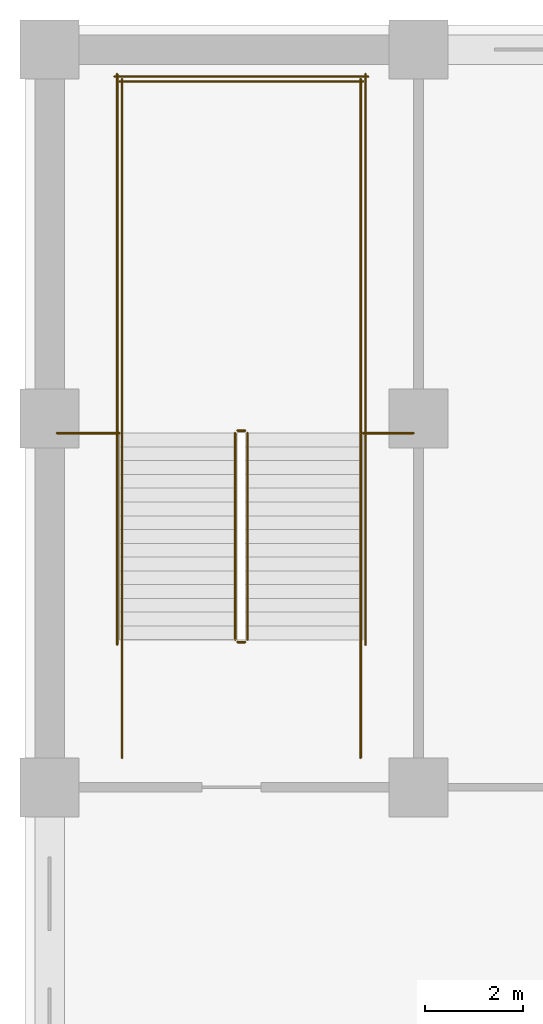
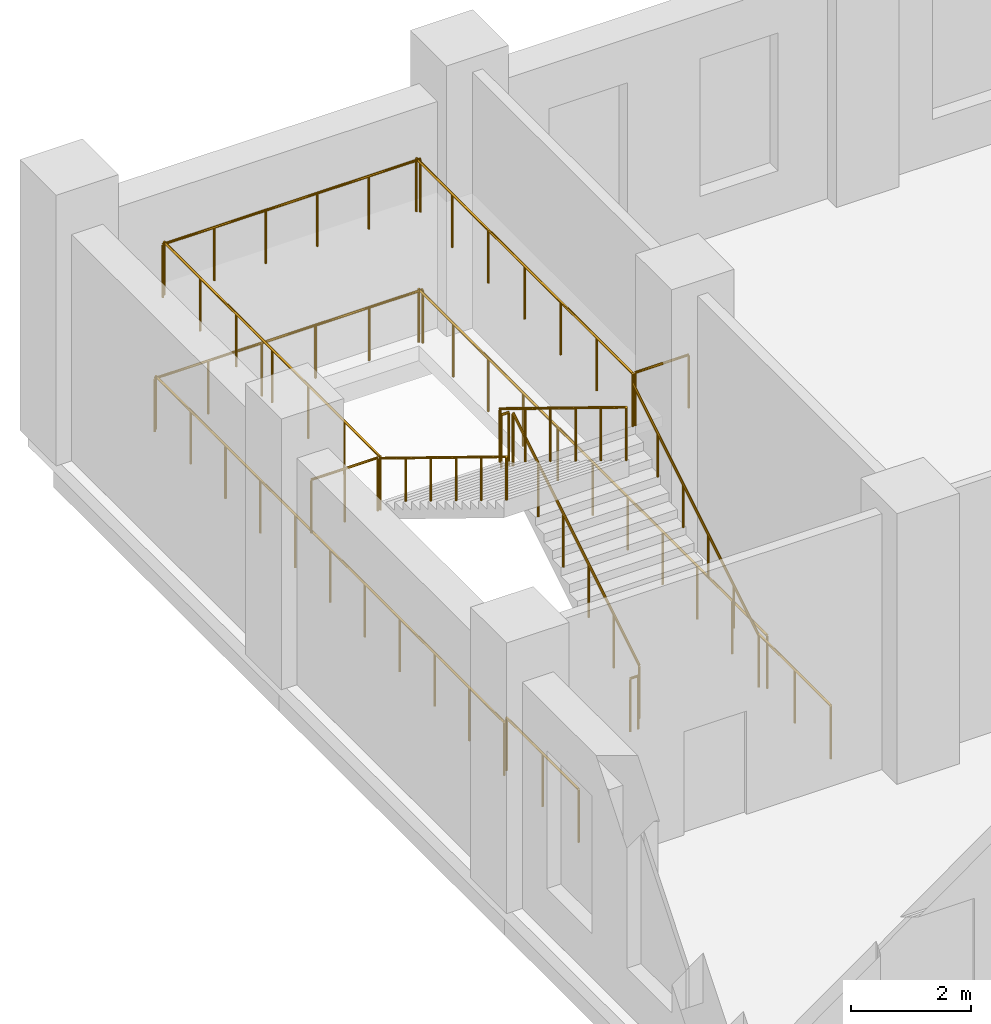
# One storey, part 28 of 35: 16 railings.
"""IFC4 building model written with IfcOpenShell, lengths in metres."""

from ifc_helpers import new_model, si_unit, direction, frame, origin, origin_2d, place, context, subcontext, project, spatial, circle, extrude, material, type_object, element, save


model = new_model("IFC4")

# Units and contexts
model_context = context("Model", 3, precision=1e-05, world=origin(), true_north=direction((0.0, 1.0)))
body_context = subcontext(model_context, "Body", "Model", "MODEL_VIEW")
ifc_project = project(units=[si_unit("LENGTHUNIT", "METRE"), si_unit("AREAUNIT", "SQUARE_METRE"), si_unit("VOLUMEUNIT", "CUBIC_METRE"), si_unit("PLANEANGLEUNIT", "RADIAN"), si_unit("MASSUNIT", "GRAM", prefix="KILO")], contexts=[model_context])

# Site, building, storey
site_placement = place(None, origin())
site = spatial("IfcSite", under=ifc_project, at=site_placement, CompositionType="ELEMENT")
building_placement = place(site_placement, origin())
building = spatial("IfcBuilding", under=site, at=building_placement, Name="Tamorin Gate", CompositionType="ELEMENT")
storey_placement = place(building_placement, frame((0.0, 0.0, 8.0)))
storey = spatial("IfcBuildingStorey", under=building, at=storey_placement, Name="L01", CompositionType="ELEMENT", Elevation=8.0)

# Railings
ifc_material = material(Name="Steel", Category="steel")
railing_type_1 = type_object("IfcRailingType", Name="Podium guard 1100", PredefinedType="GUARDRAIL", material=ifc_material)
railing_1_placement = place(storey_placement, frame((19.52490234375, 100.0, 0.171875)))
element("IfcRailing", 1, at=railing_1_placement, inside=storey, type_object=railing_type_1, Name="L01 PS2 stair guard 1", PredefinedType="GUARDRAIL", context=body_context, shape_type="SweptSolid", body=[
    extrude(circle(Radius=0.02392578125, at=origin_2d()), frame((0.0, 0.0, 1.076171875), z_axis=(0.0, 0.852242915053, 0.523146264196), x_axis=(-1.0, 0.0, 0.0)), (0.0, 0.0, 1.0), 4.92822265625),
    extrude(circle(Radius=0.02099609375, at=origin_2d()), origin(), (0.0, 0.0, 1.0), 1.052001953125),
    extrude(circle(Radius=0.02099609375, at=origin_2d()), frame((0.0, 0.840087890625, 0.515625)), (0.0, 0.0, 1.0), 1.052001953125),
    extrude(circle(Radius=0.02099609375, at=origin_2d()), frame((0.0, 1.679931640625, 1.03125)), (0.0, 0.0, 1.0), 1.052001953125),
    extrude(circle(Radius=0.02099609375, at=origin_2d()), frame((0.0, 2.52001953125, 1.546875)), (0.0, 0.0, 1.0), 1.052001953125),
    extrude(circle(Radius=0.02099609375, at=origin_2d()), frame((0.0, 3.35986328125, 2.0625)), (0.0, 0.0, 1.0), 1.052001953125),
    extrude(circle(Radius=0.02099609375, at=origin_2d()), frame((0.0, 4.199951171875, 2.578125)), (0.0, 0.0, 1.0), 1.052001953125),
])
railing_2_placement = place(storey_placement, frame((19.47509765625, 104.25, 2.75)))
element("IfcRailing", 2, at=railing_2_placement, inside=storey, type_object=railing_type_1, Name="L01 PS2 stair guard 2", PredefinedType="GUARDRAIL", context=body_context, shape_type="SweptSolid", body=[
    extrude(circle(Radius=0.02392578125, at=origin_2d()), frame((0.0, 0.0, 1.076171875), z_axis=(-1.0, 0.0, 0.0), x_axis=(0.0, -1.0, 0.0)), (0.0, 0.0, 1.0), 0.150146484375),
    extrude(circle(Radius=0.02099609375, at=origin_2d()), origin(), (0.0, 0.0, 1.0), 1.052001953125),
    extrude(circle(Radius=0.02099609375, at=origin_2d()), frame((-0.150146484375, 0.0, 0.0)), (0.0, 0.0, 1.0), 1.052001953125),
])
for number, where, name in (
    (3, (21.824951171875, 104.199951171875, 2.75), "L01 PS2 stair guard 3"),
    (4, (16.97509765625, 104.199951171875, 2.75), "L01 PS2 stair guard 4"),
):
    element("IfcRailing", number, at=place(storey_placement, frame(where)), inside=storey, type_object=railing_type_1, Name=name, PredefinedType="GUARDRAIL", context=body_context, shape_type="SweptSolid", body=[
        extrude(circle(Radius=0.02392578125, at=origin_2d()), frame((0.0, 0.0, 1.076171875), z_axis=(0.0, 1.0, 0.0), x_axis=(-1.0, 0.0, 0.0)), (0.0, 0.0, 1.0), 7.199951171875),
        extrude(circle(Radius=0.02099609375, at=origin_2d()), origin(), (0.0, 0.0, 1.0), 1.052001953125),
        extrude(circle(Radius=0.02099609375, at=origin_2d()), frame((0.0, 1.199951171875, 0.0)), (0.0, 0.0, 1.0), 1.052001953125),
        extrude(circle(Radius=0.02099609375, at=origin_2d()), frame((0.0, 2.39990234375, 0.0)), (0.0, 0.0, 1.0), 1.052001953125),
        extrude(circle(Radius=0.02099609375, at=origin_2d()), frame((0.0, 3.60009765625, 0.0)), (0.0, 0.0, 1.0), 1.052001953125),
        extrude(circle(Radius=0.02099609375, at=origin_2d()), frame((0.0, 4.800048828125, 0.0)), (0.0, 0.0, 1.0), 1.052001953125),
        extrude(circle(Radius=0.02099609375, at=origin_2d()), frame((0.0, 6.0, 0.0)), (0.0, 0.0, 1.0), 1.052001953125),
        extrude(circle(Radius=0.02099609375, at=origin_2d()), frame((0.0, 7.199951171875, 0.0)), (0.0, 0.0, 1.0), 1.052001953125),
    ])
railing_3_placement = place(storey_placement, frame((21.875, 111.35009765625, 2.75)))
element("IfcRailing", 5, at=railing_3_placement, inside=storey, type_object=railing_type_1, Name="L01 PS2 stair guard 5", PredefinedType="GUARDRAIL", context=body_context, shape_type="SweptSolid", body=[
    extrude(circle(Radius=0.02392578125, at=origin_2d()), frame((0.0, 0.0, 1.076171875), z_axis=(-1.0, 0.0, 0.0), x_axis=(0.0, -1.0, 0.0)), (0.0, 0.0, 1.0), 4.949951171875),
    extrude(circle(Radius=0.02099609375, at=origin_2d()), origin(), (0.0, 0.0, 1.0), 1.052001953125),
    extrude(circle(Radius=0.02099609375, at=origin_2d()), frame((-0.989990234375, 0.0, 0.0)), (0.0, 0.0, 1.0), 1.052001953125),
    extrude(circle(Radius=0.02099609375, at=origin_2d()), frame((-1.97998046875, 0.0, 0.0)), (0.0, 0.0, 1.0), 1.052001953125),
    extrude(circle(Radius=0.02099609375, at=origin_2d()), frame((-2.969970703125, 0.0, 0.0)), (0.0, 0.0, 1.0), 1.052001953125),
    extrude(circle(Radius=0.02099609375, at=origin_2d()), frame((-3.9599609375, 0.0, 0.0)), (0.0, 0.0, 1.0), 1.052001953125),
    extrude(circle(Radius=0.02099609375, at=origin_2d()), frame((-4.949951171875, 0.0, 0.0)), (0.0, 0.0, 1.0), 1.052001953125),
])
railing_4_placement = place(storey_placement, frame((19.27490234375, 104.199951171875, 2.921875)))
element("IfcRailing", 6, at=railing_4_placement, inside=storey, type_object=railing_type_1, Name="L01 PS2 stair guard 6", PredefinedType="GUARDRAIL", context=body_context, shape_type="SweptSolid", body=[
    extrude(circle(Radius=0.02392578125, at=origin_2d()), frame((0.0, 0.0, 1.076171875), z_axis=(0.0, -0.852242915053, 0.523146264196), x_axis=(1.0, 0.0, 0.0)), (0.0, 0.0, 1.0), 4.92822265625),
    extrude(circle(Radius=0.02099609375, at=origin_2d()), origin(), (0.0, 0.0, 1.0), 1.052001953125),
    extrude(circle(Radius=0.02099609375, at=origin_2d()), frame((0.0, -0.840087890625, 0.515625)), (0.0, 0.0, 1.0), 1.052001953125),
    extrude(circle(Radius=0.02099609375, at=origin_2d()), frame((0.0, -1.679931640625, 1.03125)), (0.0, 0.0, 1.0), 1.052001953125),
    extrude(circle(Radius=0.02099609375, at=origin_2d()), frame((0.0, -2.52001953125, 1.546875)), (0.0, 0.0, 1.0), 1.052001953125),
    extrude(circle(Radius=0.02099609375, at=origin_2d()), frame((0.0, -3.35986328125, 2.0625)), (0.0, 0.0, 1.0), 1.052001953125),
    extrude(circle(Radius=0.02099609375, at=origin_2d()), frame((0.0, -4.199951171875, 2.578125)), (0.0, 0.0, 1.0), 1.052001953125),
])
railing_5_placement = place(storey_placement, frame((19.47509765625, 99.949951171875, 0.0)))
element("IfcRailing", 7, at=railing_5_placement, inside=storey, type_object=railing_type_1, Name="L01 PS2 stair guard 7", PredefinedType="GUARDRAIL", context=body_context, shape_type="SweptSolid", body=[
    extrude(circle(Radius=0.02392578125, at=origin_2d()), frame((0.0, 0.0, 1.076171875), z_axis=(-1.0, 0.0, 0.0), x_axis=(0.0, -1.0, 0.0)), (0.0, 0.0, 1.0), 0.150146484375),
    extrude(circle(Radius=0.02099609375, at=origin_2d()), origin(), (0.0, 0.0, 1.0), 1.052001953125),
    extrude(circle(Radius=0.02099609375, at=origin_2d()), frame((-0.150146484375, 0.0, 0.0)), (0.0, 0.0, 1.0), 1.052001953125),
])
for number, where, name in (
    (8, (21.824951171875, 97.60009765625, 0.0), "L01 PS2 stair guard 8"),
    (9, (16.97509765625, 97.60009765625, 0.0), "L01 PS2 stair guard 9"),
):
    element("IfcRailing", number, at=place(storey_placement, frame(where)), inside=storey, type_object=railing_type_1, Name=name, PredefinedType="GUARDRAIL", context=body_context, shape_type="SweptSolid", body=[
        extrude(circle(Radius=0.02392578125, at=origin_2d()), frame((0.0, 0.0, 1.076171875), z_axis=(0.0, 1.0, 0.0), x_axis=(-1.0, 0.0, 0.0)), (0.0, 0.0, 1.0), 2.39990234375),
        extrude(circle(Radius=0.02099609375, at=origin_2d()), origin(), (0.0, 0.0, 1.0), 1.052001953125),
        extrude(circle(Radius=0.02099609375, at=origin_2d()), frame((0.0, 1.199951171875, 0.0)), (0.0, 0.0, 1.0), 1.052001953125),
        extrude(circle(Radius=0.02099609375, at=origin_2d()), frame((0.0, 2.39990234375, 0.0)), (0.0, 0.0, 1.0), 1.052001953125),
    ])
for number, where, name in (
    (10, (21.925048828125, 99.89990234375, 0.0), "L01 PS2 stair guard 10"),
    (11, (16.875, 99.89990234375, 0.0), "L01 PS2 stair guard 11"),
):
    element("IfcRailing", number, at=place(storey_placement, frame(where)), inside=storey, type_object=railing_type_1, Name=name, PredefinedType="GUARDRAIL", context=body_context, shape_type="SweptSolid", body=[
        extrude(circle(Radius=0.02392578125, at=origin_2d()), frame((0.0, 0.0, 1.076171875), z_axis=(0.0, 1.0, 0.0), x_axis=(-1.0, 0.0, 0.0)), (0.0, 0.0, 1.0), 11.60009765625),
        extrude(circle(Radius=0.02099609375, at=origin_2d()), origin(), (0.0, 0.0, 1.0), 1.052001953125),
        extrude(circle(Radius=0.02099609375, at=origin_2d()), frame((0.0, 1.159912109375, 0.0)), (0.0, 0.0, 1.0), 1.052001953125),
        extrude(circle(Radius=0.02099609375, at=origin_2d()), frame((0.0, 2.320068359375, 0.0)), (0.0, 0.0, 1.0), 1.052001953125),
        extrude(circle(Radius=0.02099609375, at=origin_2d()), frame((0.0, 3.47998046875, 0.0)), (0.0, 0.0, 1.0), 1.052001953125),
        extrude(circle(Radius=0.02099609375, at=origin_2d()), frame((0.0, 4.64013671875, 0.0)), (0.0, 0.0, 1.0), 1.052001953125),
        extrude(circle(Radius=0.02099609375, at=origin_2d()), frame((0.0, 5.800048828125, 0.0)), (0.0, 0.0, 1.0), 1.052001953125),
        extrude(circle(Radius=0.02099609375, at=origin_2d()), frame((0.0, 6.9599609375, 0.0)), (0.0, 0.0, 1.0), 1.052001953125),
        extrude(circle(Radius=0.02099609375, at=origin_2d()), frame((0.0, 8.1201171875, 0.0)), (0.0, 0.0, 1.0), 1.052001953125),
        extrude(circle(Radius=0.02099609375, at=origin_2d()), frame((0.0, 9.280029296875, 0.0)), (0.0, 0.0, 1.0), 1.052001953125),
        extrude(circle(Radius=0.02099609375, at=origin_2d()), frame((0.0, 10.440185546875, 0.0)), (0.0, 0.0, 1.0), 1.052001953125),
        extrude(circle(Radius=0.02099609375, at=origin_2d()), frame((0.0, 11.60009765625, 0.0)), (0.0, 0.0, 1.0), 1.052001953125),
    ])
railing_6_placement = place(storey_placement, frame((21.97509765625, 111.449951171875, 0.0)))
element("IfcRailing", 12, at=railing_6_placement, inside=storey, type_object=railing_type_1, Name="L01 PS2 stair guard 12", PredefinedType="GUARDRAIL", context=body_context, shape_type="SweptSolid", body=[
    extrude(circle(Radius=0.02392578125, at=origin_2d()), frame((0.0, 0.0, 1.076171875), z_axis=(-1.0, 0.0, 0.0), x_axis=(0.0, -1.0, 0.0)), (0.0, 0.0, 1.0), 5.150146484375),
    extrude(circle(Radius=0.02099609375, at=origin_2d()), origin(), (0.0, 0.0, 1.0), 1.052001953125),
    extrude(circle(Radius=0.02099609375, at=origin_2d()), frame((-1.030029296875, 0.0, 0.0)), (0.0, 0.0, 1.0), 1.052001953125),
    extrude(circle(Radius=0.02099609375, at=origin_2d()), frame((-2.06005859375, 0.0, 0.0)), (0.0, 0.0, 1.0), 1.052001953125),
    extrude(circle(Radius=0.02099609375, at=origin_2d()), frame((-3.090087890625, 0.0, 0.0)), (0.0, 0.0, 1.0), 1.052001953125),
    extrude(circle(Radius=0.02099609375, at=origin_2d()), frame((-4.1201171875, 0.0, 0.0)), (0.0, 0.0, 1.0), 1.052001953125),
    extrude(circle(Radius=0.02099609375, at=origin_2d()), frame((-5.150146484375, 0.0, 0.0)), (0.0, 0.0, 1.0), 1.052001953125),
])
railing_7_placement = place(storey_placement, frame((15.64990234375, 104.199951171875, 2.75)))
element("IfcRailing", 13, at=railing_7_placement, inside=storey, type_object=railing_type_1, Name="Landing edge guard", PredefinedType="GUARDRAIL", context=body_context, shape_type="SweptSolid", body=[
    extrude(circle(Radius=0.02392578125, at=origin_2d()), frame((0.0, 0.0, 1.076171875), z_axis=(1.0, 0.0, 0.0), x_axis=(0.0, 1.0, 0.0)), (0.0, 0.0, 1.0), 1.275146484375),
    extrude(circle(Radius=0.02099609375, at=origin_2d()), origin(), (0.0, 0.0, 1.0), 1.052001953125),
    extrude(circle(Radius=0.02099609375, at=origin_2d()), frame((0.6376953125, 0.0, 0.0)), (0.0, 0.0, 1.0), 1.052001953125),
    extrude(circle(Radius=0.02099609375, at=origin_2d()), frame((1.275146484375, 0.0, 0.0)), (0.0, 0.0, 1.0), 1.052001953125),
])
railing_8_placement = place(storey_placement, frame((21.875, 104.199951171875, 2.75)))
element("IfcRailing", 14, at=railing_8_placement, inside=storey, type_object=railing_type_1, Name="Landing edge guard", PredefinedType="GUARDRAIL", context=body_context, shape_type="SweptSolid", body=[
    extrude(circle(Radius=0.02392578125, at=origin_2d()), frame((0.0, 0.0, 1.076171875), z_axis=(1.0, 0.0, 0.0), x_axis=(0.0, 1.0, 0.0)), (0.0, 0.0, 1.0), 1.02490234375),
    extrude(circle(Radius=0.02099609375, at=origin_2d()), origin(), (0.0, 0.0, 1.0), 1.052001953125),
    extrude(circle(Radius=0.02099609375, at=origin_2d()), frame((1.02490234375, 0.0, 0.0)), (0.0, 0.0, 1.0), 1.052001953125),
])
railing_type_2 = type_object("IfcRailingType", Name="Podium stair handrail 900", PredefinedType="HANDRAIL", material=ifc_material)
railing_9_placement = place(storey_placement, frame((21.824951171875, 100.0, 0.171875)))
element("IfcRailing", 15, at=railing_9_placement, inside=storey, type_object=railing_type_2, Name="L01 PS2 stair handrail 1", PredefinedType="HANDRAIL", context=body_context, shape_type="SweptSolid", body=[
    extrude(circle(Radius=0.02392578125, at=origin_2d()), frame((0.0, 0.0, 0.8759765625), z_axis=(0.0, 0.852242915053, 0.523146264196), x_axis=(-1.0, 0.0, 0.0)), (0.0, 0.0, 1.0), 4.92822265625),
    extrude(circle(Radius=0.02099609375, at=origin_2d()), origin(), (0.0, 0.0, 1.0), 0.851806640625),
    extrude(circle(Radius=0.02099609375, at=origin_2d()), frame((0.0, 0.840087890625, 0.515625)), (0.0, 0.0, 1.0), 0.851806640625),
    extrude(circle(Radius=0.02099609375, at=origin_2d()), frame((0.0, 1.679931640625, 1.03125)), (0.0, 0.0, 1.0), 0.851806640625),
    extrude(circle(Radius=0.02099609375, at=origin_2d()), frame((0.0, 2.52001953125, 1.546875)), (0.0, 0.0, 1.0), 0.851806640625),
    extrude(circle(Radius=0.02099609375, at=origin_2d()), frame((0.0, 3.35986328125, 2.0625)), (0.0, 0.0, 1.0), 0.851806640625),
    extrude(circle(Radius=0.02099609375, at=origin_2d()), frame((0.0, 4.199951171875, 2.578125)), (0.0, 0.0, 1.0), 0.851806640625),
])
railing_10_placement = place(storey_placement, frame((16.97509765625, 104.199951171875, 2.921875)))
element("IfcRailing", 16, at=railing_10_placement, inside=storey, type_object=railing_type_2, Name="L01 PS2 stair handrail 2", PredefinedType="HANDRAIL", context=body_context, shape_type="SweptSolid", body=[
    extrude(circle(Radius=0.02392578125, at=origin_2d()), frame((0.0, 0.0, 0.8759765625), z_axis=(0.0, -0.852242915053, 0.523146264196), x_axis=(1.0, 0.0, 0.0)), (0.0, 0.0, 1.0), 4.92822265625),
    extrude(circle(Radius=0.02099609375, at=origin_2d()), origin(), (0.0, 0.0, 1.0), 0.851806640625),
    extrude(circle(Radius=0.02099609375, at=origin_2d()), frame((0.0, -0.840087890625, 0.515625)), (0.0, 0.0, 1.0), 0.851806640625),
    extrude(circle(Radius=0.02099609375, at=origin_2d()), frame((0.0, -1.679931640625, 1.03125)), (0.0, 0.0, 1.0), 0.851806640625),
    extrude(circle(Radius=0.02099609375, at=origin_2d()), frame((0.0, -2.52001953125, 1.546875)), (0.0, 0.0, 1.0), 0.851806640625),
    extrude(circle(Radius=0.02099609375, at=origin_2d()), frame((0.0, -3.35986328125, 2.0625)), (0.0, 0.0, 1.0), 0.851806640625),
    extrude(circle(Radius=0.02099609375, at=origin_2d()), frame((0.0, -4.199951171875, 2.578125)), (0.0, 0.0, 1.0), 0.851806640625),
])

save(model, "model.ifc")
